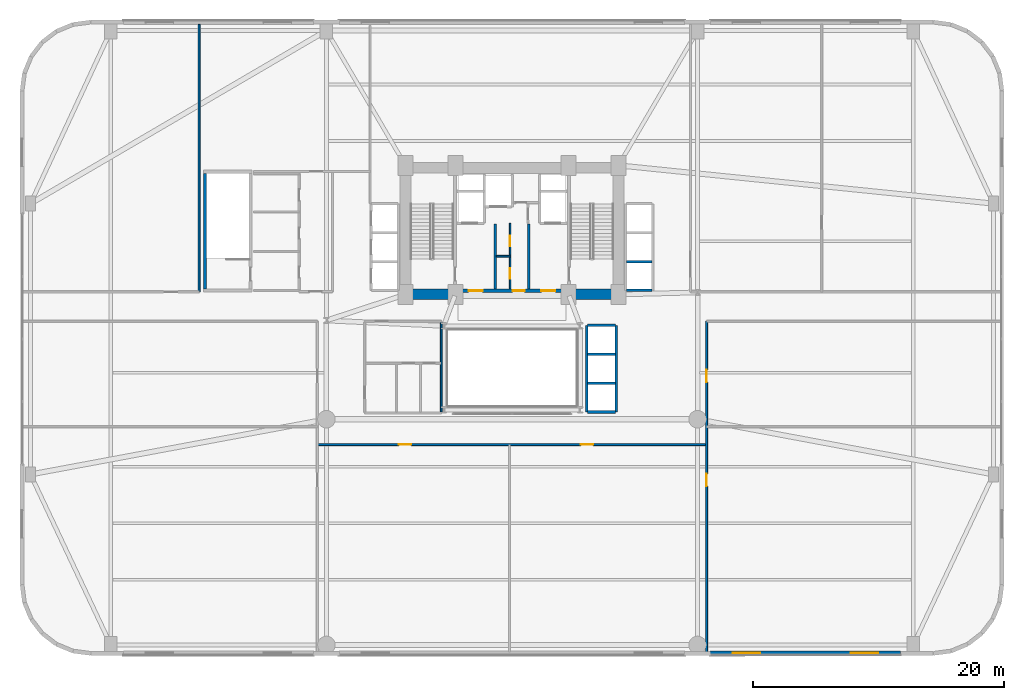
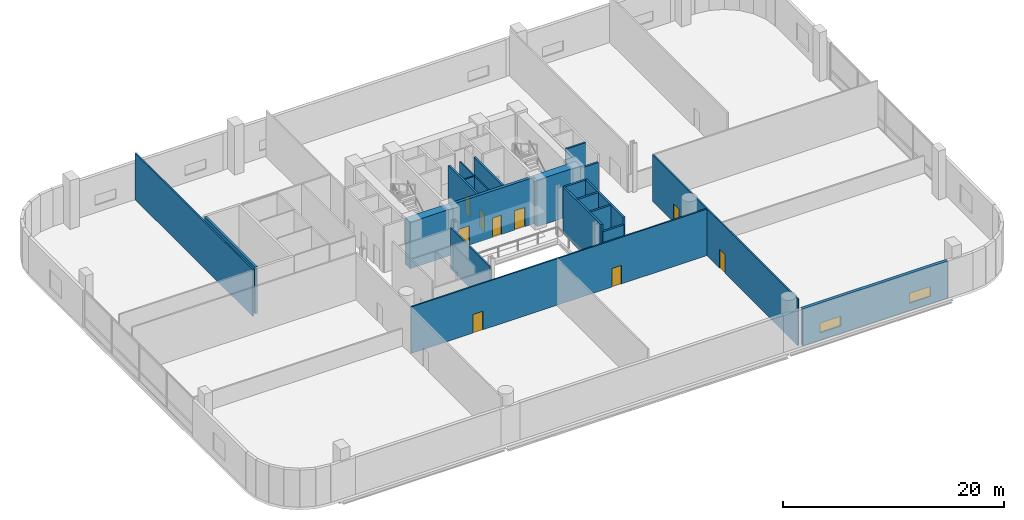
# One storey, part 23 of 31: 21 walls, 9 doors, 2 windows, 11 openings.
"""IFC4 building model written with IfcOpenShell, lengths in metres."""

from ifc_helpers import new_model, si_unit, direction, frame, frame_2d, origin, place, context, subcontext, project, spatial, rectangle, extrude, material, layer, layer_set, type_object, element, fill, save


model = new_model("IFC4")

# Units and contexts
model_context = context("Model", 3, precision=1e-05, world=origin(), true_north=direction((0.0, 1.0)))
body_context = subcontext(model_context, "Body", "Model", "MODEL_VIEW")
ifc_project = project(units=[si_unit("LENGTHUNIT", "METRE"), si_unit("AREAUNIT", "SQUARE_METRE"), si_unit("VOLUMEUNIT", "CUBIC_METRE"), si_unit("PLANEANGLEUNIT", "RADIAN"), si_unit("MASSUNIT", "GRAM", prefix="KILO")], contexts=[model_context])

# Site, building, storey
site_placement = place(None, origin())
site = spatial("IfcSite", under=ifc_project, at=site_placement, CompositionType="ELEMENT")
building_placement = place(site_placement, origin())
building = spatial("IfcBuilding", under=site, at=building_placement, Name="Varnelok Gate Tower", CompositionType="ELEMENT")
storey_placement = place(building_placement, frame((0.0, 0.0, 21.60009765625)))
storey = spatial("IfcBuildingStorey", under=building, at=storey_placement, Name="L04", CompositionType="ELEMENT", Elevation=21.60009765625)

# Wall, openings, windows
ifc_material_1 = material(Name="Concrete C45/55", Category="concrete")
ifc_layer_1 = layer(ifc_material_1, 0.320068359375)
ifc_layer_set_1 = layer_set([ifc_layer_1], Name="Concrete C45/55")
wall_type_1 = type_object("IfcWallType", Name="EW-POD-320", PredefinedType="SOLIDWALL", material=ifc_layer_set_1)
wall_1_placement = place(storey_placement, frame((70.199951171875, 0.159912109375, 0.0), z_axis=(0.0, 0.0, 1.0), x_axis=(-1.0, 0.0, 0.0)))
wall_1 = element("IfcWall", 1, at=wall_1_placement, inside=storey, type_object=wall_type_1, Name="L04 South Podium Arch Facade Wall 3", PredefinedType="SOLIDWALL", context=body_context, shape_type="SweptSolid", body=[
    extrude(rectangle(XDim=15.199951171875, YDim=0.320068359375, at=frame_2d((7.60009765625, 0.0))), origin(), (0.0, 0.0, 1.0), 4.099853515625),
])
opening_1_placement = place(wall_1_placement, frame((1.800048828125, 0.0, 0.800048828125)))
opening_1 = element("IfcOpeningElement", 2, at=opening_1_placement, cuts=wall_1, Name="Opening WN2B", PredefinedType="OPENING", context=body_context, shape_type="SweptSolid", body=[
    extrude(rectangle(XDim=2.199951171875, YDim=1.110107421875, at=frame_2d((1.10009765625, 0.55517578125))), frame((0.0, 0.169921875, 0.0), z_axis=(0.0, -1.0, 0.0), x_axis=(1.0, 0.0, 0.0)), (0.0, 0.0, 1.0), 0.340087890625),
])
opening_2_placement = place(wall_1_placement, frame((11.199951171875, 0.0, 0.800048828125)))
opening_2 = element("IfcOpeningElement", 3, at=opening_2_placement, cuts=wall_1, Name="Opening WN2B", PredefinedType="OPENING", context=body_context, shape_type="SweptSolid", body=[
    extrude(rectangle(XDim=2.199951171875, YDim=1.110107421875, at=frame_2d((1.10009765625, 0.55517578125))), frame((0.0, 0.169921875, 0.0), z_axis=(0.0, -1.0, 0.0), x_axis=(1.0, 0.0, 0.0)), (0.0, 0.0, 1.0), 0.340087890625),
])
ifc_material_2 = material(Name="Low-E Laminated Double Glazing IGU", Category="glass")
window_type = type_object("IfcWindowType", Name="WN-POD-2200X1110", PartitioningType="SINGLE_PANEL", PredefinedType="WINDOW", material=ifc_material_2)
window_1_placement = place(opening_1_placement, origin())
window_1 = element("IfcWindow", 4, at=window_1_placement, inside=storey, type_object=window_type, Name="L04 Podium Arch Facade Window S3.1", OverallHeight=1.110107421875, OverallWidth=2.199951171875, PartitioningType="SINGLE_PANEL", PredefinedType="WINDOW", context=body_context, shape_type="SweptSolid", body=[
    extrude(rectangle(XDim=2.199951171875, YDim=1.110107421875, at=frame_2d((1.10009765625, 0.55517578125))), frame((0.0, 0.030029296875, 0.0), z_axis=(0.0, -1.0, 0.0), x_axis=(1.0, 0.0, 0.0)), (0.0, 0.0, 1.0), 0.06005859375),
])
fill(opening_1, window_1)
window_2_placement = place(opening_2_placement, origin())
window_2 = element("IfcWindow", 5, at=window_2_placement, inside=storey, type_object=window_type, Name="L04 Podium Arch Facade Window S3.2", OverallHeight=1.110107421875, OverallWidth=2.199951171875, PartitioningType="SINGLE_PANEL", PredefinedType="WINDOW", context=body_context, shape_type="SweptSolid", body=[
    extrude(rectangle(XDim=2.199951171875, YDim=1.110107421875, at=frame_2d((1.10009765625, 0.55517578125))), frame((0.0, 0.030029296875, 0.0), z_axis=(0.0, -1.0, 0.0), x_axis=(1.0, 0.0, 0.0)), (0.0, 0.0, 1.0), 0.06005859375),
])
fill(opening_2, window_2)

# Wall
ifc_material_3 = material(Name="Gypsum Plasterboard Acoustic Partition", Category="gypsum")
ifc_layer_2 = layer(ifc_material_3, 0.125)
ifc_layer_set_2 = layer_set([ifc_layer_2], Name="Gypsum Plasterboard Acoustic Partition")
wall_type_2 = type_object("IfcWallType", Name="PW-PART-125", PredefinedType="PARTITIONING", material=ifc_layer_set_2)
wall_2_placement = place(storey_placement, frame((37.9599609375, 31.800048828125, 0.0), z_axis=(0.0, 0.0, 1.0), x_axis=(1.0, 0.0, 0.0)))
element("IfcWall", 6, at=wall_2_placement, inside=storey, type_object=wall_type_2, Name="Interior Partition", PredefinedType="PARTITIONING", context=body_context, shape_type="SweptSolid", body=[
    extrude(rectangle(XDim=1.090087890625, YDim=0.125, at=frame_2d((0.544921875, 0.0))), origin(), (0.0, 0.0, 1.0), 5.14990234375),
])

# Wall, openings, doors
wall_3_placement = place(storey_placement, frame((39.050048828125, 29.199951171875, 0.0), z_axis=(0.0, 0.0, 1.0), x_axis=(0.0, 1.0, 0.0)))
wall_3 = element("IfcWall", 7, at=wall_3_placement, inside=storey, type_object=wall_type_2, Name="Interior Partition", PredefinedType="PARTITIONING", context=body_context, shape_type="SweptSolid", body=[
    extrude(rectangle(XDim=5.219970703125, YDim=0.125, at=frame_2d((2.60986328125, 0.0))), origin(), (0.0, 0.0, 1.0), 5.14990234375),
])
opening_3_placement = place(wall_3_placement, frame((0.800048828125, 0.0, 0.0)))
opening_3 = element("IfcOpeningElement", 8, at=opening_3_placement, cuts=wall_3, Name="Opening D-RS", PredefinedType="OPENING", context=body_context, shape_type="SweptSolid", body=[
    extrude(rectangle(XDim=0.85009765625, YDim=2.050048828125, at=frame_2d((0.425048828125, 1.02490234375))), frame((0.0, 0.072509765625, 0.0), z_axis=(0.0, -1.0, 0.0), x_axis=(1.0, 0.0, 0.0)), (0.0, 0.0, 1.0), 0.14501953125),
])
opening_4_placement = place(wall_3_placement, frame((3.39990234375, 0.0, 0.0)))
opening_4 = element("IfcOpeningElement", 9, at=opening_4_placement, cuts=wall_3, Name="Opening D-RS", PredefinedType="OPENING", context=body_context, shape_type="SweptSolid", body=[
    extrude(rectangle(XDim=0.85009765625, YDim=2.050048828125, at=frame_2d((0.425048828125, 1.02490234375))), frame((0.0, 0.072509765625, 0.0), z_axis=(0.0, -1.0, 0.0), x_axis=(1.0, 0.0, 0.0)), (0.0, 0.0, 1.0), 0.14501953125),
])
ifc_material_4 = material(Name="Galvanized Steel Grade S350GD", Category="steel")
door_type_1 = type_object("IfcDoorType", Name="DR-RISER-850", OperationType="NOTDEFINED", PredefinedType="DOOR", material=ifc_material_4)
door_1_placement = place(opening_3_placement, origin())
door_1 = element("IfcDoor", 10, at=door_1_placement, inside=storey, type_object=door_type_1, Name="L04 Housekeeping Linen Door", OperationType="SINGLE_SWING_LEFT", OverallHeight=2.050048828125, OverallWidth=0.85009765625, PredefinedType="DOOR", context=body_context, shape_type="SweptSolid", body=[
    extrude(rectangle(XDim=0.85009765625, YDim=2.050048828125, at=frame_2d((0.425048828125, 1.02490234375))), frame((0.0, 0.02490234375, 0.0), z_axis=(0.0, -1.0, 0.0), x_axis=(1.0, 0.0, 0.0)), (0.0, 0.0, 1.0), 0.050048828125),
])
fill(opening_3, door_1)
door_2_placement = place(opening_4_placement, origin())
door_2 = element("IfcDoor", 11, at=door_2_placement, inside=storey, type_object=door_type_1, Name="L04 Janitor Sink Door", OperationType="SINGLE_SWING_RIGHT", OverallHeight=2.050048828125, OverallWidth=0.85009765625, PredefinedType="DOOR", context=body_context, shape_type="SweptSolid", body=[
    extrude(rectangle(XDim=0.85009765625, YDim=2.050048828125, at=frame_2d((0.425048828125, 1.02490234375))), frame((0.0, 0.02490234375, 0.0), z_axis=(0.0, -1.0, 0.0), x_axis=(1.0, 0.0, 0.0)), (0.0, 0.0, 1.0), 0.050048828125),
])
fill(opening_4, door_2)

ifc_layer_3 = layer(ifc_material_3, 0.14990234375)
ifc_layer_set_3 = layer_set([ifc_layer_3], Name="Gypsum Plasterboard Acoustic Partition")
wall_type_3 = type_object("IfcWallType", Name="PW-PART-150", PredefinedType="PARTITIONING", material=ifc_layer_set_3)
wall_4_placement = place(storey_placement, frame((23.679931640625, 16.780029296875, 0.0), z_axis=(0.0, 0.0, 1.0), x_axis=(1.0, 0.0, 0.0)))
wall_4 = element("IfcWall", 12, at=wall_4_placement, inside=storey, type_object=wall_type_3, Name="Interior Partition", PredefinedType="PARTITIONING", context=body_context, shape_type="SweptSolid", body=[
    extrude(rectangle(XDim=31.0400390625, YDim=0.14990234375, at=frame_2d((15.52001953125, 0.0))), origin(), (0.0, 0.0, 1.0), 5.14990234375),
])
opening_5_placement = place(wall_4_placement, frame((6.5, 0.0, 0.0)))
opening_5 = element("IfcOpeningElement", 13, at=opening_5_placement, cuts=wall_4, Name="Opening D-I1", PredefinedType="OPENING", context=body_context, shape_type="SweptSolid", body=[
    extrude(rectangle(XDim=1.0, YDim=2.050048828125, at=frame_2d((0.5, 1.02490234375))), frame((0.0, 0.0849609375, 0.0), z_axis=(0.0, -1.0, 0.0), x_axis=(1.0, 0.0, 0.0)), (0.0, 0.0, 1.0), 0.169921875),
])
opening_6_placement = place(wall_4_placement, frame((21.0, 0.0, 0.0)))
opening_6 = element("IfcOpeningElement", 14, at=opening_6_placement, cuts=wall_4, Name="Opening D-I1", PredefinedType="OPENING", context=body_context, shape_type="SweptSolid", body=[
    extrude(rectangle(XDim=1.0, YDim=2.050048828125, at=frame_2d((0.5, 1.02490234375))), frame((0.0, 0.0849609375, 0.0), z_axis=(0.0, -1.0, 0.0), x_axis=(1.0, 0.0, 0.0)), (0.0, 0.0, 1.0), 0.169921875),
])
ifc_material_5 = material(Name="Engineered Hardwood Timber", Category="wood")
door_type_2 = type_object("IfcDoorType", Name="DR-INT-1000", OperationType="NOTDEFINED", PredefinedType="DOOR", material=ifc_material_5)
door_3_placement = place(opening_5_placement, origin())
door_3 = element("IfcDoor", 15, at=door_3_placement, inside=storey, type_object=door_type_2, Name="L04 Seminar 1 Door", OperationType="SINGLE_SWING_RIGHT", OverallHeight=2.050048828125, OverallWidth=1.0, PredefinedType="DOOR", context=body_context, shape_type="SweptSolid", body=[
    extrude(rectangle(XDim=1.0, YDim=2.050048828125, at=frame_2d((0.5, 1.02490234375))), frame((0.0, 0.02490234375, 0.0), z_axis=(0.0, -1.0, 0.0), x_axis=(1.0, 0.0, 0.0)), (0.0, 0.0, 1.0), 0.050048828125),
])
fill(opening_5, door_3)
door_4_placement = place(opening_6_placement, origin())
door_4 = element("IfcDoor", 16, at=door_4_placement, inside=storey, type_object=door_type_2, Name="L04 Seminar 2 Door", OperationType="SINGLE_SWING_LEFT", OverallHeight=2.050048828125, OverallWidth=1.0, PredefinedType="DOOR", context=body_context, shape_type="SweptSolid", body=[
    extrude(rectangle(XDim=1.0, YDim=2.050048828125, at=frame_2d((0.5, 1.02490234375))), frame((0.0, 0.02490234375, 0.0), z_axis=(0.0, -1.0, 0.0), x_axis=(1.0, 0.0, 0.0)), (0.0, 0.0, 1.0), 0.050048828125),
])
fill(opening_6, door_4)

wall_5_placement = place(storey_placement, frame((54.719970703125, 0.25, 0.0), z_axis=(0.0, 0.0, 1.0), x_axis=(0.0, 1.0, 0.0)))
wall_5 = element("IfcWall", 17, at=wall_5_placement, inside=storey, type_object=wall_type_3, Name="Interior Partition", PredefinedType="PARTITIONING", context=body_context, shape_type="SweptSolid", body=[
    extrude(rectangle(XDim=26.3701171875, YDim=0.14990234375, at=frame_2d((13.18505859375, 0.0))), origin(), (0.0, 0.0, 1.0), 5.14990234375),
])
opening_7_placement = place(wall_5_placement, frame((21.5, 0.0, 0.0)))
opening_7 = element("IfcOpeningElement", 18, at=opening_7_placement, cuts=wall_5, Name="Opening D-I1", PredefinedType="OPENING", context=body_context, shape_type="SweptSolid", body=[
    extrude(rectangle(XDim=1.0, YDim=2.050048828125, at=frame_2d((0.5, 1.02490234375))), frame((0.0, 0.0849609375, 0.0), z_axis=(0.0, -1.0, 0.0), x_axis=(1.0, 0.0, 0.0)), (0.0, 0.0, 1.0), 0.169921875),
])
opening_8_placement = place(wall_5_placement, frame((13.199951171875, 0.0, 0.0)))
opening_8 = element("IfcOpeningElement", 19, at=opening_8_placement, cuts=wall_5, Name="Opening D-I1", PredefinedType="OPENING", context=body_context, shape_type="SweptSolid", body=[
    extrude(rectangle(XDim=1.0, YDim=2.050048828125, at=frame_2d((0.5, 1.02490234375))), frame((0.0, 0.0849609375, 0.0), z_axis=(0.0, -1.0, 0.0), x_axis=(1.0, 0.0, 0.0)), (0.0, 0.0, 1.0), 0.169921875),
])
door_5_placement = place(opening_7_placement, origin())
door_5 = element("IfcDoor", 20, at=door_5_placement, inside=storey, type_object=door_type_2, Name="L04 Treatment Suite Door", OperationType="SINGLE_SWING_LEFT", OverallHeight=2.050048828125, OverallWidth=1.0, PredefinedType="DOOR", context=body_context, shape_type="SweptSolid", body=[
    extrude(rectangle(XDim=1.0, YDim=2.050048828125, at=frame_2d((0.5, 1.02490234375))), frame((0.0, 0.02490234375, 0.0), z_axis=(0.0, -1.0, 0.0), x_axis=(1.0, 0.0, 0.0)), (0.0, 0.0, 1.0), 0.050048828125),
])
fill(opening_7, door_5)
door_6_placement = place(opening_8_placement, origin())
door_6 = element("IfcDoor", 21, at=door_6_placement, inside=storey, type_object=door_type_2, Name="L04 Wellness Spa Door", OperationType="SINGLE_SWING_RIGHT", OverallHeight=2.050048828125, OverallWidth=1.0, PredefinedType="DOOR", context=body_context, shape_type="SweptSolid", body=[
    extrude(rectangle(XDim=1.0, YDim=2.050048828125, at=frame_2d((0.5, 1.02490234375))), frame((0.0, 0.02490234375, 0.0), z_axis=(0.0, -1.0, 0.0), x_axis=(1.0, 0.0, 0.0)), (0.0, 0.0, 1.0), 0.050048828125),
])
fill(opening_8, door_6)

# Walls
wall_6_placement = place(storey_placement, frame((14.25, 28.9599609375, 0.0), z_axis=(0.0, 0.0, 1.0), x_axis=(0.0, 1.0, 0.0)))
element("IfcWall", 22, at=wall_6_placement, inside=storey, type_object=wall_type_3, Name="Interior Partition", PredefinedType="PARTITIONING", context=body_context, shape_type="SweptSolid", body=[
    extrude(rectangle(XDim=21.340087890625, YDim=0.14990234375, at=frame_2d((10.669921875, 0.0))), origin(), (0.0, 0.0, 1.0), 5.14990234375),
])
wall_7_placement = place(storey_placement, frame((33.56005859375, 19.3798828125, 0.0), z_axis=(0.0, 0.0, 1.0), x_axis=(0.0, 1.0, 0.0)))
element("IfcWall", 23, at=wall_7_placement, inside=storey, type_object=wall_type_3, Name="Interior Partition", PredefinedType="PARTITIONING", context=body_context, shape_type="SweptSolid", body=[
    extrude(rectangle(XDim=7.16015625, YDim=0.14990234375, at=frame_2d((3.580078125, 0.0))), origin(), (0.0, 0.0, 1.0), 4.52392578125),
])
ifc_material_6 = material(Name="Concrete C35/45", Category="concrete")
ifc_layer_4 = layer(ifc_material_6, 0.199951171875)
ifc_layer_set_4 = layer_set([ifc_layer_4], Name="Concrete C35/45")
wall_type_4 = type_object("IfcWallType", Name="PW-SHAFT-200", PredefinedType="PARTITIONING", material=ifc_layer_set_4)
for number, where, z_axis, x_axis, name in (
    (24, (37.860107421875, 29.199951171875, 0.0), (0.0, 0.0, 1.0), (0.0, 1.0, 0.0), "L04 West FF Lobby Rated Wall"),
    (25, (40.5400390625, 29.199951171875, 0.0), (0.0, 0.0, 1.0), (0.0, 1.0, 0.0), "L04 East FF Lobby Rated Wall"),
):
    element("IfcWall", number, at=place(storey_placement, frame(where, z_axis=z_axis, x_axis=x_axis)), inside=storey, type_object=wall_type_4, Name=name, PredefinedType="PARTITIONING", context=body_context, shape_type="SweptSolid", body=[
        extrude(rectangle(XDim=5.179931640625, YDim=0.199951171875, at=frame_2d((2.58984375, 0.0))), origin(), (0.0, 0.0, 1.0), 5.14990234375),
    ])
wall_8_placement = place(storey_placement, frame((48.320068359375, 31.375, 0.0), z_axis=(0.0, 0.0, 1.0), x_axis=(1.0, 0.0, 0.0)))
element("IfcWall", 26, at=wall_8_placement, inside=storey, type_object=wall_type_4, Name="L04 PM1 Divider", PredefinedType="PARTITIONING", context=body_context, shape_type="SweptSolid", body=[
    extrude(rectangle(XDim=2.059814453125, YDim=0.199951171875, at=frame_2d((1.02978515625, 0.0))), origin(), (0.0, 0.0, 1.0), 5.14990234375),
])
wall_9_placement = place(storey_placement, frame((48.320068359375, 29.080078125, 0.0), z_axis=(0.0, 0.0, 1.0), x_axis=(1.0, 0.0, 0.0)))
element("IfcWall", 27, at=wall_9_placement, inside=storey, type_object=wall_type_4, Name="L04 PM Bank South Wall", PredefinedType="PARTITIONING", context=body_context, shape_type="SweptSolid", body=[
    extrude(rectangle(XDim=2.059814453125, YDim=0.199951171875, at=frame_2d((1.02978515625, 0.0))), origin(), (0.0, 0.0, 1.0), 4.36181640625),
])
for number, where, z_axis, x_axis, name in (
    (28, (45.239990234375, 21.675048828125, 0.0), (0.0, 0.0, 1.0), (1.0, 0.0, 0.0), "L04 PH1 Divider"),
    (29, (45.239990234375, 23.97509765625, 0.0), (0.0, 0.0, 1.0), (1.0, 0.0, 0.0), "L04 PH2 Divider"),
):
    element("IfcWall", number, at=place(storey_placement, frame(where, z_axis=z_axis, x_axis=x_axis)), inside=storey, type_object=wall_type_4, Name=name, PredefinedType="PARTITIONING", context=body_context, shape_type="SweptSolid", body=[
        extrude(rectangle(XDim=2.219970703125, YDim=0.199951171875, at=frame_2d((1.10986328125, 0.0))), origin(), (0.0, 0.0, 1.0), 5.14990234375),
    ])
wall_10_placement = place(storey_placement, frame((45.239990234375, 19.3798828125, 0.0), z_axis=(0.0, 0.0, 1.0), x_axis=(1.0, 0.0, 0.0)))
element("IfcWall", 30, at=wall_10_placement, inside=storey, type_object=wall_type_4, Name="L04 PH Bank South Wall", PredefinedType="PARTITIONING", context=body_context, shape_type="SweptSolid", body=[
    extrude(rectangle(XDim=2.219970703125, YDim=0.199951171875, at=frame_2d((1.10986328125, 0.0))), origin(), (0.0, 0.0, 1.0), 4.36181640625),
])
wall_11_placement = place(storey_placement, frame((45.239990234375, 26.280029296875, 0.0), z_axis=(0.0, 0.0, 1.0), x_axis=(1.0, 0.0, 0.0)))
element("IfcWall", 31, at=wall_11_placement, inside=storey, type_object=wall_type_4, Name="L04 PH Bank North Wall", PredefinedType="PARTITIONING", context=body_context, shape_type="SweptSolid", body=[
    extrude(rectangle(XDim=2.219970703125, YDim=0.199951171875, at=frame_2d((1.10986328125, 0.0))), origin(), (0.0, 0.0, 1.0), 5.14990234375),
])
for number, where, z_axis, x_axis, name in (
    (32, (45.179931640625, 19.3798828125, 0.0), (0.0, 0.0, 1.0), (0.0, 1.0, 0.0), "L04 PH Bank Atrium Wall"),
    (33, (47.52001953125, 19.3798828125, 0.0), (0.0, 0.0, 1.0), (0.0, 1.0, 0.0), "L04 PH Bank Front Wall"),
):
    element("IfcWall", number, at=place(storey_placement, frame(where, z_axis=z_axis, x_axis=x_axis)), inside=storey, type_object=wall_type_4, Name=name, PredefinedType="PARTITIONING", context=body_context, shape_type="SweptSolid", body=[
        extrude(rectangle(XDim=6.900146484375, YDim=0.199951171875, at=frame_2d((3.4501953125, 0.0))), origin(), (0.0, 0.0, 1.0), 5.14990234375),
    ])
ifc_material_7 = material(Name="Concrete C70/85", Category="concrete")
ifc_layer_5 = layer(ifc_material_7, 0.85009765625)
ifc_layer_set_5 = layer_set([ifc_layer_5], Name="Concrete C70/85")
wall_type_5 = type_object("IfcWallType", Name="SW-CORE-850", PredefinedType="SHEAR", material=ifc_layer_set_5)
for number, where, z_axis, x_axis, name in (
    (34, (30.280029296875, 28.77490234375, 0.0), (0.0, 0.0, 1.0), (1.0, 0.0, 0.0), "L04 Rear Core South-West Shear Wall"),
    (35, (43.60009765625, 28.77490234375, 0.0), (0.0, 0.0, 1.0), (1.0, 0.0, 0.0), "L04 Rear Core South-East Shear Wall"),
):
    element("IfcWall", number, at=place(storey_placement, frame(where, z_axis=z_axis, x_axis=x_axis)), inside=storey, type_object=wall_type_5, Name=name, PredefinedType="SHEAR", context=body_context, shape_type="SweptSolid", body=[
        extrude(rectangle(XDim=4.52001953125, YDim=0.85009765625, at=frame_2d((2.260009765625, 0.0))), origin(), (0.0, 0.0, 1.0), 5.14990234375),
    ])
ifc_material_8 = material(Name="Concrete C60/75", Category="concrete")
ifc_layer_6 = layer(ifc_material_8, 0.25)
ifc_layer_set_6 = layer_set([ifc_layer_6], Name="Concrete C60/75")
wall_type_6 = type_object("IfcWallType", Name="SW-SHAFT-250", PredefinedType="SHEAR", material=ifc_layer_set_6)
wall_12_placement = place(storey_placement, frame((14.705078125, 29.199951171875, 0.0), z_axis=(0.0, 0.0, 1.0), x_axis=(0.0, 1.0, 0.0)))
element("IfcWall", 36, at=wall_12_placement, inside=storey, type_object=wall_type_6, Name="L04 Stair ST-3 West Shear Wall", PredefinedType="SHEAR", context=body_context, shape_type="SweptSolid", body=[
    extrude(rectangle(XDim=9.219970703125, YDim=0.25, at=frame_2d((4.60986328125, 0.0))), origin(), (0.0, 0.0, 1.0), 5.14990234375),
])

# Wall, openings, doors
ifc_layer_7 = layer(ifc_material_8, 0.300048828125)
ifc_layer_set_7 = layer_set([ifc_layer_7], Name="Concrete C60/75")
wall_type_7 = type_object("IfcWallType", Name="SW-SHAFT-300", PredefinedType="SHEAR", material=ifc_layer_set_7)
wall_13_placement = place(storey_placement, frame((34.800048828125, 29.050048828125, 0.0), z_axis=(0.0, 0.0, 1.0), x_axis=(1.0, 0.0, 0.0)))
wall_13 = element("IfcWall", 37, at=wall_13_placement, inside=storey, type_object=wall_type_7, Name="L04 Rear Core Central Lobby Shear Wall", PredefinedType="SHEAR", context=body_context, shape_type="SweptSolid", body=[
    extrude(rectangle(XDim=8.800048828125, YDim=0.300048828125, at=frame_2d((4.39990234375, 0.0))), origin(), (0.0, 0.0, 1.0), 5.14990234375),
])
opening_9_placement = place(wall_13_placement, frame((0.949951171875, 0.0, 0.0)))
opening_9 = element("IfcOpeningElement", 38, at=opening_9_placement, cuts=wall_13, Name="Opening D-FF", PredefinedType="OPENING", context=body_context, shape_type="SweptSolid", body=[
    extrude(rectangle(XDim=1.10009765625, YDim=2.14990234375, at=frame_2d((0.550048828125, 1.074951171875))), frame((0.0, 0.159912109375, 0.0), z_axis=(0.0, -1.0, 0.0), x_axis=(1.0, 0.0, 0.0)), (0.0, 0.0, 1.0), 0.320068359375),
])
opening_10_placement = place(wall_13_placement, frame((6.75, 0.0, 0.0)))
opening_10 = element("IfcOpeningElement", 39, at=opening_10_placement, cuts=wall_13, Name="Opening D-FF", PredefinedType="OPENING", context=body_context, shape_type="SweptSolid", body=[
    extrude(rectangle(XDim=1.10009765625, YDim=2.14990234375, at=frame_2d((0.550048828125, 1.074951171875))), frame((0.0, 0.159912109375, 0.0), z_axis=(0.0, -1.0, 0.0), x_axis=(1.0, 0.0, 0.0)), (0.0, 0.0, 1.0), 0.320068359375),
])
opening_11_placement = place(wall_13_placement, frame((4.449951171875, 0.0, 0.0)))
opening_11 = element("IfcOpeningElement", 40, at=opening_11_placement, cuts=wall_13, Name="Opening D-CR", PredefinedType="OPENING", context=body_context, shape_type="SweptSolid", body=[
    extrude(rectangle(XDim=0.949951171875, YDim=2.14990234375, at=frame_2d((0.47509765625, 1.074951171875))), frame((0.0, 0.159912109375, 0.0), z_axis=(0.0, -1.0, 0.0), x_axis=(1.0, 0.0, 0.0)), (0.0, 0.0, 1.0), 0.320068359375),
])
door_type_3 = type_object("IfcDoorType", Name="DR-CORR-950", OperationType="NOTDEFINED", PredefinedType="DOOR", material=ifc_material_4)
door_7_placement = place(opening_11_placement, origin())
door_7 = element("IfcDoor", 41, at=door_7_placement, inside=storey, type_object=door_type_3, Name="L04 Core Service Passage Door", OperationType="SINGLE_SWING_LEFT", OverallHeight=2.14990234375, OverallWidth=0.949951171875, PredefinedType="DOOR", context=body_context, shape_type="SweptSolid", body=[
    extrude(rectangle(XDim=0.949951171875, YDim=2.14990234375, at=frame_2d((0.47509765625, 1.074951171875))), frame((0.0, 0.02490234375, 0.0), z_axis=(0.0, -1.0, 0.0), x_axis=(1.0, 0.0, 0.0)), (0.0, 0.0, 1.0), 0.050048828125),
])
fill(opening_11, door_7)
door_type_4 = type_object("IfcDoorType", Name="DR-FFLOB-1100", OperationType="NOTDEFINED", PredefinedType="DOOR", material=ifc_material_4)
door_8_placement = place(opening_9_placement, origin())
door_8 = element("IfcDoor", 42, at=door_8_placement, inside=storey, type_object=door_type_4, Name="L04 West Firefighting Lobby Fire Door", OperationType="SINGLE_SWING_RIGHT", OverallHeight=2.14990234375, OverallWidth=1.10009765625, PredefinedType="DOOR", context=body_context, shape_type="SweptSolid", body=[
    extrude(rectangle(XDim=1.10009765625, YDim=2.14990234375, at=frame_2d((0.550048828125, 1.074951171875))), frame((0.0, 0.02490234375, 0.0), z_axis=(0.0, -1.0, 0.0), x_axis=(1.0, 0.0, 0.0)), (0.0, 0.0, 1.0), 0.050048828125),
])
fill(opening_9, door_8)
door_9_placement = place(opening_10_placement, origin())
door_9 = element("IfcDoor", 43, at=door_9_placement, inside=storey, type_object=door_type_4, Name="L04 East Firefighting Lobby Fire Door", OperationType="SINGLE_SWING_LEFT", OverallHeight=2.14990234375, OverallWidth=1.10009765625, PredefinedType="DOOR", context=body_context, shape_type="SweptSolid", body=[
    extrude(rectangle(XDim=1.10009765625, YDim=2.14990234375, at=frame_2d((0.550048828125, 1.074951171875))), frame((0.0, 0.02490234375, 0.0), z_axis=(0.0, -1.0, 0.0), x_axis=(1.0, 0.0, 0.0)), (0.0, 0.0, 1.0), 0.050048828125),
])
fill(opening_10, door_9)

save(model, "model.ifc")
